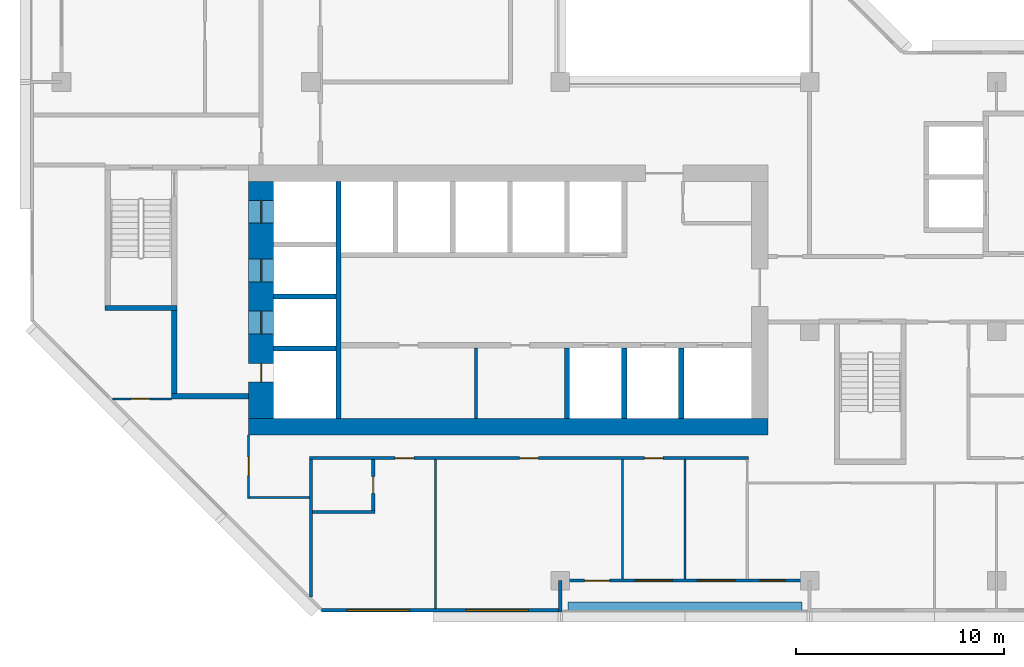
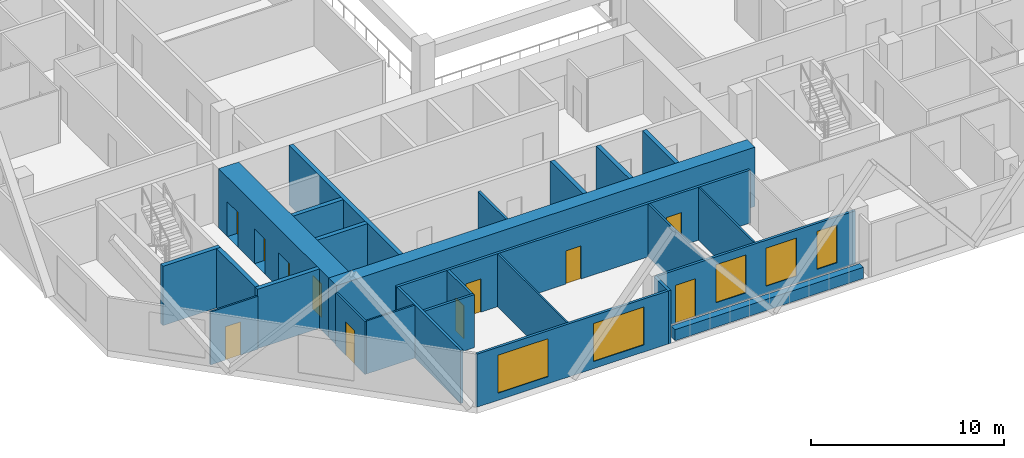
# One storey, part 4 of 15: 26 walls, 11 doors, 5 windows, 16 openings.
"""IFC4 building model written with IfcOpenShell, lengths in metres."""

import ifcopenshell
import ifcopenshell.guid

model = None  # the IFC model being written
_history = None  # IfcOwnerHistory: only IFC2X3 demands one
_inside = {}  # id of a spatial element -> (the spatial element, [elements in it])
_under = {}  # id of a project, library or spatial element -> (it, [spatial elements below it])
_declared = {}  # id of a project -> (the project, [libraries it declares])
_typed = {}  # id of a type object -> (the type object, [elements of that type])
_made_of = {}  # id of a material, layer set ... -> (it, [elements and type objects made of it])


def new_model(schema):
    """Start an empty IFC model of exactly this schema.

    Asked for "IFC4X3", IfcOpenShell would pick the latest addendum, in which some entities
    have other attributes; the version numbers below select the first issue.
    IFC2X3 requires an IfcOwnerHistory on every rooted entity: one is made here for all.
    """
    global model, _history
    if schema == "IFC4X3":
        model = ifcopenshell.file(schema_version=(4, 3, 0, 0))
    else:
        model = ifcopenshell.file(schema=schema)
    _inside.clear()
    _under.clear()
    _declared.clear()
    _typed.clear()
    _made_of.clear()
    _history = None
    if model.schema == "IFC2X3":
        org = make("IfcOrganization", Name="unknown")
        user = make(
            "IfcPersonAndOrganization",
            ThePerson=make("IfcPerson", FamilyName="unknown"),
            TheOrganization=org,
        )
        app = make(
            "IfcApplication",
            ApplicationDeveloper=org,
            Version="unknown",
            ApplicationFullName="unknown",
            ApplicationIdentifier="unknown",
        )
        _history = make(
            "IfcOwnerHistory",
            OwningUser=user,
            OwningApplication=app,
            ChangeAction="ADDED",
            CreationDate=0,
        )
    return model


def make(cls, **values):
    """One entity of the class cls with the attributes given. An attribute that is None is left unset."""
    return model.create_entity(
        cls, **{name: value for name, value in values.items() if value is not None}
    )


def rooted(cls, **values):
    """An entity with a GlobalId (a new one), such as an element, a storey or a relation."""
    return make(cls, GlobalId=ifcopenshell.guid.new(), OwnerHistory=_history, **values)


def si_unit(unit_type, name, prefix=None):
    """IfcSIUnit, for example si_unit("LENGTHUNIT", "METRE", prefix="MILLI")."""
    return make("IfcSIUnit", UnitType=unit_type, Prefix=prefix, Name=name)


def assignment(units):
    """IfcUnitAssignment: the units of a project."""
    return None if units is None else make("IfcUnitAssignment", Units=units)


def point(xyz):
    """IfcCartesianPoint."""
    return None if xyz is None else make("IfcCartesianPoint", Coordinates=xyz)


def direction(xyz):
    """IfcDirection."""
    return None if xyz is None else make("IfcDirection", DirectionRatios=xyz)


def frame(location, z_axis=None, x_axis=None):
    """IfcAxis2Placement3D, a coordinate frame: its origin and axes. An axis left out is left unset."""
    return make(
        "IfcAxis2Placement3D",
        Location=point(location),
        Axis=direction(z_axis),
        RefDirection=direction(x_axis),
    )


def frame_2d(location, x_axis=None):
    """IfcAxis2Placement2D, a coordinate frame in the plane: its origin and x axis."""
    return make(
        "IfcAxis2Placement2D", Location=point(location), RefDirection=direction(x_axis)
    )


def origin():
    """The frame at (0, 0, 0) with its axes left unset."""
    return frame((0.0, 0.0, 0.0))


def place(relative_to, where):
    """IfcLocalPlacement: puts the frame where relative to a parent placement (None: the world)."""
    return make(
        "IfcLocalPlacement", PlacementRelTo=relative_to, RelativePlacement=where
    )


def context(
    kind, dimensions, precision=None, world=None, true_north=None, identifier=None
):
    """IfcGeometricRepresentationContext, for example the 3D "Model" context."""
    return make(
        "IfcGeometricRepresentationContext",
        ContextIdentifier=identifier,
        ContextType=kind,
        CoordinateSpaceDimension=dimensions,
        Precision=precision,
        WorldCoordinateSystem=world,
        TrueNorth=true_north,
    )


def subcontext(parent, identifier, kind, view, scale=None):
    """IfcGeometricRepresentationSubContext, for example "Body" below "Model"."""
    return make(
        "IfcGeometricRepresentationSubContext",
        ContextIdentifier=identifier,
        ContextType=kind,
        ParentContext=parent,
        TargetScale=scale,
        TargetView=view,
    )


def project(units=None, contexts=None):
    """IfcProject with its units and contexts."""
    return rooted(
        "IfcProject",
        Name="project",
        RepresentationContexts=contexts,
        UnitsInContext=assignment(units),
    )


def spatial(cls, under=None, at=None, **own):
    """A site, building, storey or space (cls), placed at a placement, below another one or the project."""
    s = rooted(cls, ObjectPlacement=at, **own)
    if under is not None:
        _under.setdefault(under.id(), (under, []))[1].append(s)
    return s


def profile(cls, at=None, kind="AREA", **sizes):
    """A parametric profile (cls). Its sizes go by their IFC names, for example OverallWidth=200.0."""
    return make(cls, ProfileType=kind, Position=at, **sizes)


def rectangle(**sizes):
    """IfcRectangleProfileDef."""
    return profile("IfcRectangleProfileDef", **sizes)


def extrude(swept, where, along, depth):
    """IfcExtrudedAreaSolid: the profile swept, set in the frame where, extruded along a direction by depth."""
    return make(
        "IfcExtrudedAreaSolid",
        SweptArea=swept,
        Position=where,
        ExtrudedDirection=direction(along),
        Depth=depth,
    )


def shape(context_of_items, identifier, shape_type, items):
    """IfcShapeRepresentation: the items that make up one representation, for example the "Body"."""
    return make(
        "IfcShapeRepresentation",
        ContextOfItems=context_of_items,
        RepresentationIdentifier=identifier,
        RepresentationType=shape_type,
        Items=items,
    )


def material(Name=None, Category=None):
    """IfcMaterial."""
    return make("IfcMaterial", Name=Name, Category=Category)


def layer(
    of_material, thickness, ventilated=None, Name=None, Category=None, Priority=None
):
    """IfcMaterialLayer: one layer of a wall or slab, of a material (None: an air gap)."""
    return make(
        "IfcMaterialLayer",
        Material=of_material,
        LayerThickness=thickness,
        IsVentilated=ventilated,
        Name=Name,
        Category=Category,
        Priority=Priority,
    )


def layer_set(layers, Name=None):
    """IfcMaterialLayerSet."""
    return make("IfcMaterialLayerSet", MaterialLayers=layers, LayerSetName=Name)


def made_of(thing, what):
    """Note that an element or type object is made of a material, layer set ...; save() writes the relation."""
    if what is not None:
        _made_of.setdefault(what.id(), (what, []))[1].append(thing)
    return thing


def type_object(cls, material=None, **own):
    """A type object (cls), such as IfcWallType, which elements share."""
    return made_of(rooted(cls, **own), material)


def element(
    cls,
    number,
    at=None,
    inside=None,
    cuts=None,
    type_object=None,
    material=None,
    context=None,
    identifier="Body",
    shape_type=None,
    held_by="IfcProductDefinitionShape",
    body=None,
    shapes=None,
    **own,
):
    """One element of the class cls, such as IfcWall. Its Tag is "e" and its number.

    at: its placement. inside: the storey or other place that contains it. cuts: it is an
    opening in that element (IfcRelVoidsElement). A single representation is given by context,
    identifier, shape_type and body (its items); several are given by shapes. held_by: the class
    of the entity that holds the representations. save() writes the other relations.
    """
    e = rooted(cls, Tag="e%d" % number, ObjectPlacement=at, **own)
    if body is not None:
        shapes = [shape(context, identifier, shape_type, body)]
    if shapes is not None:
        e.Representation = make(held_by, Representations=shapes)
    if inside is not None:
        _inside.setdefault(inside.id(), (inside, []))[1].append(e)
    if cuts is not None:
        rooted(
            "IfcRelVoidsElement", RelatingBuildingElement=cuts, RelatedOpeningElement=e
        )
    if type_object is not None:
        _typed.setdefault(type_object.id(), (type_object, []))[1].append(e)
    return made_of(e, material)


def fill(opening, filler):
    """IfcRelFillsElement: the door or window that sits in an opening."""
    return rooted(
        "IfcRelFillsElement",
        RelatingOpeningElement=opening,
        RelatedBuildingElement=filler,
    )


def aggregate(whole, parts):
    """IfcRelAggregates: a whole, such as a stair, and the parts it consists of."""
    return rooted("IfcRelAggregates", RelatingObject=whole, RelatedObjects=parts)


def save(model, path):
    """Write the relations noted so far, then the file.

    IfcRelAggregates (storeys below a building ...), IfcRelContainedInSpatialStructure (elements
    in a storey), IfcRelDefinesByType, IfcRelAssociatesMaterial and IfcRelDeclares: one each for
    every whole, place, type object, material and project.
    """
    for whole, parts in _under.values():
        aggregate(whole, parts)
    for where, things in _inside.values():
        rooted(
            "IfcRelContainedInSpatialStructure",
            RelatedElements=things,
            RelatingStructure=where,
        )
    for kind, things in _typed.values():
        rooted("IfcRelDefinesByType", RelatedObjects=things, RelatingType=kind)
    for what, things in _made_of.values():
        rooted("IfcRelAssociatesMaterial", RelatedObjects=things, RelatingMaterial=what)
    for by, libraries in _declared.values():
        rooted("IfcRelDeclares", RelatingContext=by, RelatedDefinitions=libraries)
    model.write(path)


model = new_model("IFC4")

# Units and contexts
model_context = context("Model", 3, precision=1e-05, world=origin(), true_north=direction((0.0, 1.0)))
body_context = subcontext(model_context, "Body", "Model", "MODEL_VIEW")
ifc_project = project(units=[si_unit("LENGTHUNIT", "METRE"), si_unit("AREAUNIT", "SQUARE_METRE"), si_unit("VOLUMEUNIT", "CUBIC_METRE"), si_unit("PLANEANGLEUNIT", "RADIAN"), si_unit("MASSUNIT", "GRAM", prefix="KILO")], contexts=[model_context])

# Site, building, storey
site_placement = place(None, origin())
site = spatial("IfcSite", under=ifc_project, at=site_placement, CompositionType="ELEMENT")
building_placement = place(site_placement, origin())
building = spatial("IfcBuilding", under=site, at=building_placement, Name="Chenar Terraces", CompositionType="ELEMENT")
storey_placement = place(building_placement, frame((0.0, 0.0, 187.39990234375)))
storey = spatial("IfcBuildingStorey", under=building, at=storey_placement, Name="L43", CompositionType="ELEMENT", Elevation=187.39990234375)

# Wall
ifc_material_1 = material(Name="Gypsum board on steel studs", Category="steel")
ifc_layer_1 = layer(ifc_material_1, 0.14990234375)
ifc_layer_set_1 = layer_set([ifc_layer_1], Name="Gypsum board on steel studs")
wall_type_1 = type_object("IfcWallType", Name="Core partition 150 gypsum board", PredefinedType="PARTITIONING", material=ifc_layer_set_1)
wall_1_placement = place(storey_placement, frame((19.949951171875, 7.800048828125, 0.0), z_axis=(0.0, 0.0, 1.0), x_axis=(0.0, 1.0, 0.0)))
element("IfcWall", 1, at=wall_1_placement, inside=storey, type_object=wall_type_1, Name="Core partition CP1 freed bay wall", PredefinedType="PARTITIONING", context=body_context, shape_type="SweptSolid", body=[
    extrude(rectangle(XDim=3.39990234375, YDim=0.14990234375, at=frame_2d((1.699951171875, 0.0))), origin(), (0.0, 0.0, 1.0), 3.35009765625),
])

# Wall, openings, doors
ifc_material_2 = material(Name="Concrete C60/75", Category="concrete")
ifc_layer_2 = layer(ifc_material_2, 1.199951171875)
ifc_layer_set_2 = layer_set([ifc_layer_2], Name="Concrete C60/75")
wall_type_2 = type_object("IfcWallType", Name="Core wall 1200 Concrete C60/75", PredefinedType="SHEAR", material=ifc_layer_set_2)
wall_2_placement = place(storey_placement, frame((9.60009765625, 7.800048828125, 0.0), z_axis=(0.0, 0.0, 1.0), x_axis=(0.0, 1.0, 0.0)))
wall_2 = element("IfcWall", 2, at=wall_2_placement, inside=storey, type_object=wall_type_2, Name="Core wall W L43", PredefinedType="SHEAR", context=body_context, shape_type="SweptSolid", body=[
    extrude(rectangle(XDim=11.39990234375, YDim=1.199951171875, at=frame_2d((5.699951171875, 0.0))), origin(), (0.0, 0.0, 1.0), 3.75),
])
opening_1_placement = place(wall_2_placement, frame((4.074951171875, 0.0, 0.0)))
opening_1 = element("IfcOpeningElement", 3, at=opening_1_placement, cuts=wall_2, Name="Opening DL43-LD5", PredefinedType="OPENING", context=body_context, shape_type="SweptSolid", body=[
    extrude(rectangle(XDim=1.10009765625, YDim=2.199951171875, at=frame_2d((0.550048828125, 1.10009765625))), frame((0.0, 0.60986328125, 0.0), z_axis=(0.0, -1.0, 0.0), x_axis=(1.0, 0.0, 0.0)), (0.0, 0.0, 1.0), 1.219970703125),
])
opening_2_placement = place(wall_2_placement, frame((6.574951171875, 0.0, 0.0)))
opening_2 = element("IfcOpeningElement", 4, at=opening_2_placement, cuts=wall_2, Name="Opening DL43-LD6", PredefinedType="OPENING", context=body_context, shape_type="SweptSolid", body=[
    extrude(rectangle(XDim=1.10009765625, YDim=2.199951171875, at=frame_2d((0.550048828125, 1.10009765625))), frame((0.0, 0.60986328125, 0.0), z_axis=(0.0, -1.0, 0.0), x_axis=(1.0, 0.0, 0.0)), (0.0, 0.0, 1.0), 1.219970703125),
])
opening_3_placement = place(wall_2_placement, frame((9.39990234375, 0.0, 0.0)))
opening_3 = element("IfcOpeningElement", 5, at=opening_3_placement, cuts=wall_2, Name="Opening DL43-LD7", PredefinedType="OPENING", context=body_context, shape_type="SweptSolid", body=[
    extrude(rectangle(XDim=1.10009765625, YDim=2.199951171875, at=frame_2d((0.550048828125, 1.10009765625))), frame((0.0, 0.60986328125, 0.0), z_axis=(0.0, -1.0, 0.0), x_axis=(1.0, 0.0, 0.0)), (0.0, 0.0, 1.0), 1.219970703125),
])
opening_4_placement = place(wall_2_placement, frame((1.75, 0.0, 0.0)))
opening_4 = element("IfcOpeningElement", 6, at=opening_4_placement, cuts=wall_2, Name="Opening DL43-C4", PredefinedType="OPENING", context=body_context, shape_type="SweptSolid", body=[
    extrude(rectangle(XDim=0.89990234375, YDim=2.10009765625, at=frame_2d((0.449951171875, 1.050048828125))), frame((0.0, 0.60986328125, 0.0), z_axis=(0.0, -1.0, 0.0), x_axis=(1.0, 0.0, 0.0)), (0.0, 0.0, 1.0), 1.219970703125),
])
ifc_material_3 = material(Name="Stainless steel", Category="steel")
door_type_1 = type_object("IfcDoorType", Name="Lift landing door 1100 x 2200 sliding", OperationType="DOUBLE_DOOR_SLIDING", PredefinedType="DOOR", material=ifc_material_3)
door_1_placement = place(opening_1_placement, origin())
door_1 = element("IfcDoor", 7, at=door_1_placement, inside=storey, type_object=door_type_1, Name="Landing door S1", OperationType="DOUBLE_DOOR_SLIDING", OverallHeight=2.199951171875, OverallWidth=1.10009765625, PredefinedType="DOOR", context=body_context, shape_type="SweptSolid", body=[
    extrude(rectangle(XDim=1.10009765625, YDim=2.199951171875, at=frame_2d((0.550048828125, 1.10009765625))), frame((0.0, 0.02490234375, 0.0), z_axis=(0.0, -1.0, 0.0), x_axis=(1.0, 0.0, 0.0)), (0.0, 0.0, 1.0), 0.050048828125),
])
fill(opening_1, door_1)
door_2_placement = place(opening_2_placement, origin())
door_2 = element("IfcDoor", 8, at=door_2_placement, inside=storey, type_object=door_type_1, Name="Landing door F1", OperationType="DOUBLE_DOOR_SLIDING", OverallHeight=2.199951171875, OverallWidth=1.10009765625, PredefinedType="DOOR", context=body_context, shape_type="SweptSolid", body=[
    extrude(rectangle(XDim=1.10009765625, YDim=2.199951171875, at=frame_2d((0.550048828125, 1.10009765625))), frame((0.0, 0.02490234375, 0.0), z_axis=(0.0, -1.0, 0.0), x_axis=(1.0, 0.0, 0.0)), (0.0, 0.0, 1.0), 0.050048828125),
])
fill(opening_2, door_2)
door_3_placement = place(opening_3_placement, origin())
door_3 = element("IfcDoor", 9, at=door_3_placement, inside=storey, type_object=door_type_1, Name="Landing door F2", OperationType="DOUBLE_DOOR_SLIDING", OverallHeight=2.199951171875, OverallWidth=1.10009765625, PredefinedType="DOOR", context=body_context, shape_type="SweptSolid", body=[
    extrude(rectangle(XDim=1.10009765625, YDim=2.199951171875, at=frame_2d((0.550048828125, 1.10009765625))), frame((0.0, 0.02490234375, 0.0), z_axis=(0.0, -1.0, 0.0), x_axis=(1.0, 0.0, 0.0)), (0.0, 0.0, 1.0), 0.050048828125),
])
fill(opening_3, door_3)
ifc_material_4 = material(Name="Steel-framed fire-resisting door leaf", Category="steel")
door_type_2 = type_object("IfcDoorType", Name="Riser fire door FD60 900 x 2100", OperationType="SINGLE_SWING_LEFT", PredefinedType="DOOR", material=ifc_material_4)
door_4_placement = place(opening_4_placement, frame((0.89990234375, 0.0, 0.0), z_axis=(0.0, 0.0, 1.0), x_axis=(-1.0, 0.0, 0.0)))
door_4 = element("IfcDoor", 10, at=door_4_placement, inside=storey, type_object=door_type_2, Name="Riser door DL43-C4", OperationType="SINGLE_SWING_LEFT", OverallHeight=2.10009765625, OverallWidth=0.89990234375, PredefinedType="DOOR", context=body_context, shape_type="SweptSolid", body=[
    extrude(rectangle(XDim=0.89990234375, YDim=2.10009765625, at=frame_2d((0.449951171875, 1.050048828125))), frame((0.0, 0.02490234375, 0.0), z_axis=(0.0, -1.0, 0.0), x_axis=(1.0, 0.0, 0.0)), (0.0, 0.0, 1.0), 0.050048828125),
])
fill(opening_4, door_4)

# Walls
ifc_material_5 = material(Name="Concrete C60/75", Category="concrete")
ifc_layer_3 = layer(ifc_material_5, 0.25)
ifc_layer_set_3 = layer_set([ifc_layer_3], Name="Concrete C60/75")
wall_type_3 = type_object("IfcWallType", Name="Core wall 250 Concrete C60/75", PredefinedType="SHEAR", material=ifc_layer_set_3)
wall_3_placement = place(storey_placement, frame((13.324951171875, 7.800048828125, 0.0), z_axis=(0.0, 0.0, 1.0), x_axis=(0.0, 1.0, 0.0)))
element("IfcWall", 11, at=wall_3_placement, inside=storey, type_object=wall_type_3, Name="Core wall WI L43", PredefinedType="SHEAR", context=body_context, shape_type="SweptSolid", body=[
    extrude(rectangle(XDim=11.39990234375, YDim=0.25, at=frame_2d((5.699951171875, 0.0))), origin(), (0.0, 0.0, 1.0), 3.75),
])
for number, where, z_axis, x_axis, name in (
    (12, (10.199951171875, 11.175048828125, 0.0), (0.0, 0.0, 1.0), (1.0, 0.0, 0.0), "Core wall HW0 L43"),
    (13, (10.199951171875, 13.675048828125, 0.0), (0.0, 0.0, 1.0), (1.0, 0.0, 0.0), "Core wall HW1 L43"),
):
    element("IfcWall", number, at=place(storey_placement, frame(where, z_axis=z_axis, x_axis=x_axis)), inside=storey, type_object=wall_type_3, Name=name, PredefinedType="SHEAR", context=body_context, shape_type="SweptSolid", body=[
        extrude(rectangle(XDim=3.0, YDim=0.25, at=frame_2d((1.5, 0.0))), origin(), (0.0, 0.0, 1.0), 3.75),
    ])
for number, where, z_axis, x_axis, name in (
    (14, (24.324951171875, 7.800048828125, 0.0), (0.0, 0.0, 1.0), (0.0, 1.0, 0.0), "Core wall SS3 L43"),
    (15, (27.074951171875, 7.800048828125, 0.0), (0.0, 0.0, 1.0), (0.0, 1.0, 0.0), "Core wall SS4 L43"),
    (16, (29.824951171875, 7.800048828125, 0.0), (0.0, 0.0, 1.0), (0.0, 1.0, 0.0), "Core wall SS5 L43"),
):
    element("IfcWall", number, at=place(storey_placement, frame(where, z_axis=z_axis, x_axis=x_axis)), inside=storey, type_object=wall_type_3, Name=name, PredefinedType="SHEAR", context=body_context, shape_type="SweptSolid", body=[
        extrude(rectangle(XDim=3.39990234375, YDim=0.25, at=frame_2d((1.699951171875, 0.0))), origin(), (0.0, 0.0, 1.0), 3.75),
    ])
wall_4_placement = place(storey_placement, frame((2.10009765625, 13.125, 0.0), z_axis=(0.0, 0.0, 1.0), x_axis=(1.0, 0.0, 0.0)))
element("IfcWall", 17, at=wall_4_placement, inside=storey, type_object=wall_type_3, Name="Core wall ST1_S L43", PredefinedType="SHEAR", context=body_context, shape_type="SweptSolid", body=[
    extrude(rectangle(XDim=3.449951171875, YDim=0.25, at=frame_2d((1.72509765625, 0.0))), origin(), (0.0, 0.0, 1.0), 3.75),
])
wall_5_placement = place(storey_placement, frame((5.300048828125, 8.875, 0.0), z_axis=(0.0, 0.0, 1.0), x_axis=(1.0, 0.0, 0.0)))
element("IfcWall", 18, at=wall_5_placement, inside=storey, type_object=wall_type_3, Name="Core wall FFL_S L43", PredefinedType="SHEAR", context=body_context, shape_type="SweptSolid", body=[
    extrude(rectangle(XDim=3.699951171875, YDim=0.25, at=frame_2d((1.85009765625, 0.0))), origin(), (0.0, 0.0, 1.0), 3.75),
])
wall_6_placement = place(storey_placement, frame((5.425048828125, 9.0, 0.0), z_axis=(0.0, 0.0, 1.0), x_axis=(0.0, 1.0, 0.0)))
element("IfcWall", 19, at=wall_6_placement, inside=storey, type_object=wall_type_3, Name="Core wall FFL_W L43", PredefinedType="SHEAR", context=body_context, shape_type="SweptSolid", body=[
    extrude(rectangle(XDim=4.0, YDim=0.25, at=frame_2d((2.0, 0.0))), origin(), (0.0, 0.0, 1.0), 3.75),
])
ifc_material_6 = material(Name="Concrete C60/75", Category="concrete")
ifc_layer_4 = layer(ifc_material_6, 0.800048828125)
ifc_layer_set_4 = layer_set([ifc_layer_4], Name="Concrete C60/75")
wall_type_4 = type_object("IfcWallType", Name="Core wall 800 Concrete C60/75", PredefinedType="SHEAR", material=ifc_layer_set_4)
wall_7_placement = place(storey_placement, frame((9.0, 7.39990234375, 0.0), z_axis=(0.0, 0.0, 1.0), x_axis=(1.0, 0.0, 0.0)))
element("IfcWall", 20, at=wall_7_placement, inside=storey, type_object=wall_type_4, Name="Core wall S L43", PredefinedType="SHEAR", context=body_context, shape_type="SweptSolid", body=[
    extrude(rectangle(XDim=25.0, YDim=0.800048828125, at=frame_2d((12.5, 0.0))), origin(), (0.0, 0.0, 1.0), 3.75),
])

# Wall, openings, windows
ifc_material_7 = material(Name="Aluminium framed glazing", Category="aluminium")
ifc_layer_5 = layer(ifc_material_7, 0.14990234375)
ifc_layer_set_5 = layer_set([ifc_layer_5], Name="Aluminium framed glazing")
wall_type_5 = type_object("IfcWallType", Name="Glazed flush facade wall 150", PredefinedType="SOLIDWALL", material=ifc_layer_set_5)
wall_8_placement = place(storey_placement, frame((12.5, -1.425048828125, 0.0), z_axis=(0.0, 0.0, 1.0), x_axis=(1.0, 0.0, 0.0)))
wall_8 = element("IfcWall", 21, at=wall_8_placement, inside=storey, type_object=wall_type_5, Name="Glazed flush facade wall", PredefinedType="SOLIDWALL", context=body_context, shape_type="SweptSolid", body=[
    extrude(rectangle(XDim=11.425048828125, YDim=0.14990234375, at=frame_2d((5.71240234375, 0.0))), origin(), (0.0, 0.0, 1.0), 3.35009765625),
])
opening_5_placement = place(wall_8_placement, frame((1.25, 0.0, 0.449951171875)))
opening_5 = element("IfcOpeningElement", 22, at=opening_5_placement, cuts=wall_8, Name="Opening W300x240", PredefinedType="OPENING", context=body_context, shape_type="SweptSolid", body=[
    extrude(rectangle(XDim=3.0, YDim=2.39990234375, at=frame_2d((1.5, 1.199951171875))), frame((0.0, 0.0849609375, 0.0), z_axis=(0.0, -1.0, 0.0), x_axis=(1.0, 0.0, 0.0)), (0.0, 0.0, 1.0), 0.169921875),
])
opening_6_placement = place(wall_8_placement, frame((6.96240234375, 0.0, 0.449951171875)))
opening_6 = element("IfcOpeningElement", 23, at=opening_6_placement, cuts=wall_8, Name="Opening W300x240", PredefinedType="OPENING", context=body_context, shape_type="SweptSolid", body=[
    extrude(rectangle(XDim=3.0, YDim=2.39990234375, at=frame_2d((1.5, 1.199951171875))), frame((0.0, 0.0849609375, 0.0), z_axis=(0.0, -1.0, 0.0), x_axis=(1.0, 0.0, 0.0)), (0.0, 0.0, 1.0), 0.169921875),
])
ifc_material_8 = material(Name="Low emissivity double glazing, aluminium frame", Category="aluminium")
window_type_1 = type_object("IfcWindowType", Name="Fixed light 3000 x 2400", PartitioningType="SINGLE_PANEL", PredefinedType="WINDOW", material=ifc_material_8)
window_1_placement = place(opening_5_placement, origin())
window_1 = element("IfcWindow", 24, at=window_1_placement, inside=storey, type_object=window_type_1, Name="Window", OverallHeight=2.39990234375, OverallWidth=3.0, PartitioningType="SINGLE_PANEL", PredefinedType="WINDOW", context=body_context, shape_type="SweptSolid", body=[
    extrude(rectangle(XDim=3.0, YDim=2.39990234375, at=frame_2d((1.5, 1.199951171875))), frame((0.0, 0.030029296875, 0.0), z_axis=(0.0, -1.0, 0.0), x_axis=(1.0, 0.0, 0.0)), (0.0, 0.0, 1.0), 0.06005859375),
])
fill(opening_5, window_1)
window_2_placement = place(opening_6_placement, origin())
window_2 = element("IfcWindow", 25, at=window_2_placement, inside=storey, type_object=window_type_1, Name="Window", OverallHeight=2.39990234375, OverallWidth=3.0, PartitioningType="SINGLE_PANEL", PredefinedType="WINDOW", context=body_context, shape_type="SweptSolid", body=[
    extrude(rectangle(XDim=3.0, YDim=2.39990234375, at=frame_2d((1.5, 1.199951171875))), frame((0.0, 0.030029296875, 0.0), z_axis=(0.0, -1.0, 0.0), x_axis=(1.0, 0.0, 0.0)), (0.0, 0.0, 1.0), 0.06005859375),
])
fill(opening_6, window_2)

# Wall, openings, windows, door
ifc_material_9 = material(Name="Aluminium framed glazing", Category="aluminium")
ifc_layer_6 = layer(ifc_material_9, 0.14990234375)
ifc_layer_set_6 = layer_set([ifc_layer_6], Name="Aluminium framed glazing")
wall_type_6 = type_object("IfcWallType", Name="Glazed loggia back wall 150", PredefinedType="SOLIDWALL", material=ifc_layer_set_6)
wall_9_placement = place(storey_placement, frame((24.074951171875, 0.0, 0.0), z_axis=(0.0, 0.0, 1.0), x_axis=(1.0, 0.0, 0.0)))
wall_9 = element("IfcWall", 26, at=wall_9_placement, inside=storey, type_object=wall_type_6, Name="Glazed loggia back wall", PredefinedType="SOLIDWALL", context=body_context, shape_type="SweptSolid", body=[
    extrude(rectangle(XDim=11.85009765625, YDim=0.14990234375, at=frame_2d((5.925048828125, 0.0))), origin(), (0.0, 0.0, 1.0), 3.35009765625),
])
opening_7_placement = place(wall_9_placement, frame((1.10009765625, 0.0, 0.0)))
opening_7 = element("IfcOpeningElement", 27, at=opening_7_placement, cuts=wall_9, Name="Opening DL43-G6", PredefinedType="OPENING", context=body_context, shape_type="SweptSolid", body=[
    extrude(rectangle(XDim=1.199951171875, YDim=2.39990234375, at=frame_2d((0.60009765625, 1.199951171875))), frame((0.0, 0.0849609375, 0.0), z_axis=(0.0, -1.0, 0.0), x_axis=(1.0, 0.0, 0.0)), (0.0, 0.0, 1.0), 0.169921875),
])
opening_8_placement = place(wall_9_placement, frame((3.52490234375, 0.0, 0.449951171875)))
opening_8 = element("IfcOpeningElement", 28, at=opening_8_placement, cuts=wall_9, Name="Opening W180x240", PredefinedType="OPENING", context=body_context, shape_type="SweptSolid", body=[
    extrude(rectangle(XDim=1.800048828125, YDim=2.39990234375, at=frame_2d((0.89990234375, 1.199951171875))), frame((0.0, 0.0849609375, 0.0), z_axis=(0.0, -1.0, 0.0), x_axis=(1.0, 0.0, 0.0)), (0.0, 0.0, 1.0), 0.169921875),
])
opening_9_placement = place(wall_9_placement, frame((6.52490234375, 0.0, 0.449951171875)))
opening_9 = element("IfcOpeningElement", 29, at=opening_9_placement, cuts=wall_9, Name="Opening W180x240", PredefinedType="OPENING", context=body_context, shape_type="SweptSolid", body=[
    extrude(rectangle(XDim=1.800048828125, YDim=2.39990234375, at=frame_2d((0.89990234375, 1.199951171875))), frame((0.0, 0.0849609375, 0.0), z_axis=(0.0, -1.0, 0.0), x_axis=(1.0, 0.0, 0.0)), (0.0, 0.0, 1.0), 0.169921875),
])
opening_10_placement = place(wall_9_placement, frame((9.550048828125, 0.0, 0.449951171875)))
opening_10 = element("IfcOpeningElement", 30, at=opening_10_placement, cuts=wall_9, Name="Opening W120x240", PredefinedType="OPENING", context=body_context, shape_type="SweptSolid", body=[
    extrude(rectangle(XDim=1.199951171875, YDim=2.39990234375, at=frame_2d((0.60009765625, 1.199951171875))), frame((0.0, 0.0849609375, 0.0), z_axis=(0.0, -1.0, 0.0), x_axis=(1.0, 0.0, 0.0)), (0.0, 0.0, 1.0), 0.169921875),
])
ifc_material_10 = material(Name="Low emissivity double glazing, aluminium frame", Category="aluminium")
window_type_2 = type_object("IfcWindowType", Name="Fixed light 1200 x 2400", PartitioningType="SINGLE_PANEL", PredefinedType="WINDOW", material=ifc_material_10)
window_3_placement = place(opening_10_placement, origin())
window_3 = element("IfcWindow", 31, at=window_3_placement, inside=storey, type_object=window_type_2, Name="Window", OverallHeight=2.39990234375, OverallWidth=1.199951171875, PartitioningType="SINGLE_PANEL", PredefinedType="WINDOW", context=body_context, shape_type="SweptSolid", body=[
    extrude(rectangle(XDim=1.199951171875, YDim=2.39990234375, at=frame_2d((0.60009765625, 1.199951171875))), frame((0.0, 0.030029296875, 0.0), z_axis=(0.0, -1.0, 0.0), x_axis=(1.0, 0.0, 0.0)), (0.0, 0.0, 1.0), 0.06005859375),
])
fill(opening_10, window_3)
ifc_material_11 = material(Name="Low emissivity double glazing, aluminium frame", Category="aluminium")
window_type_3 = type_object("IfcWindowType", Name="Fixed light 1800 x 2400", PartitioningType="SINGLE_PANEL", PredefinedType="WINDOW", material=ifc_material_11)
window_4_placement = place(opening_8_placement, origin())
window_4 = element("IfcWindow", 32, at=window_4_placement, inside=storey, type_object=window_type_3, Name="Window", OverallHeight=2.39990234375, OverallWidth=1.800048828125, PartitioningType="SINGLE_PANEL", PredefinedType="WINDOW", context=body_context, shape_type="SweptSolid", body=[
    extrude(rectangle(XDim=1.800048828125, YDim=2.39990234375, at=frame_2d((0.89990234375, 1.199951171875))), frame((0.0, 0.030029296875, 0.0), z_axis=(0.0, -1.0, 0.0), x_axis=(1.0, 0.0, 0.0)), (0.0, 0.0, 1.0), 0.06005859375),
])
fill(opening_8, window_4)
window_5_placement = place(opening_9_placement, origin())
window_5 = element("IfcWindow", 33, at=window_5_placement, inside=storey, type_object=window_type_3, Name="Window", OverallHeight=2.39990234375, OverallWidth=1.800048828125, PartitioningType="SINGLE_PANEL", PredefinedType="WINDOW", context=body_context, shape_type="SweptSolid", body=[
    extrude(rectangle(XDim=1.800048828125, YDim=2.39990234375, at=frame_2d((0.89990234375, 1.199951171875))), frame((0.0, 0.030029296875, 0.0), z_axis=(0.0, -1.0, 0.0), x_axis=(1.0, 0.0, 0.0)), (0.0, 0.0, 1.0), 0.06005859375),
])
fill(opening_9, window_5)
ifc_material_12 = material(Name="Low emissivity double glazing, aluminium frame", Category="aluminium")
door_type_3 = type_object("IfcDoorType", Name="Loggia glazed double door 1200 x 2400", OperationType="DOUBLE_DOOR_SINGLE_SWING", PredefinedType="DOOR", material=ifc_material_12)
door_5_placement = place(opening_7_placement, frame((1.199951171875, 0.0, 0.0), z_axis=(0.0, 0.0, 1.0), x_axis=(-1.0, 0.0, 0.0)))
door_5 = element("IfcDoor", 34, at=door_5_placement, inside=storey, type_object=door_type_3, Name="Loggia glazed door", OperationType="DOUBLE_DOOR_SINGLE_SWING", OverallHeight=2.39990234375, OverallWidth=1.199951171875, PredefinedType="DOOR", context=body_context, shape_type="SweptSolid", body=[
    extrude(rectangle(XDim=1.199951171875, YDim=2.39990234375, at=frame_2d((0.60009765625, 1.199951171875))), frame((0.0, 0.02490234375, 0.0), z_axis=(0.0, -1.0, 0.0), x_axis=(1.0, 0.0, 0.0)), (0.0, 0.0, 1.0), 0.050048828125),
])
fill(opening_7, door_5)

# Wall, opening, door
ifc_material_13 = material(Name="Gypsum board on steel studs", Category="steel")
ifc_layer_7 = layer(ifc_material_13, 0.10009765625)
ifc_layer_set_7 = layer_set([ifc_layer_7], Name="Gypsum board on steel studs")
wall_type_7 = type_object("IfcWallType", Name="Gypsum partition 100", PredefinedType="PARTITIONING", material=ifc_layer_set_7)
wall_10_placement = place(storey_placement, frame((2.4609375, 8.75, 0.0), z_axis=(0.0, 0.0, 1.0), x_axis=(1.0, 0.0, 0.0)))
wall_10 = element("IfcWall", 35, at=wall_10_placement, inside=storey, type_object=wall_type_7, Name="Partition L43-012", PredefinedType="PARTITIONING", context=body_context, shape_type="SweptSolid", body=[
    extrude(rectangle(XDim=2.839111328125, YDim=0.10009765625, at=frame_2d((1.41943359375, 0.0))), origin(), (0.0, 0.0, 1.0), 3.35009765625),
])
opening_11_placement = place(wall_10_placement, frame((0.888916015625, 0.0, 0.0)))
opening_11 = element("IfcOpeningElement", 36, at=opening_11_placement, cuts=wall_10, Name="Opening DL43-50", PredefinedType="OPENING", context=body_context, shape_type="SweptSolid", body=[
    extrude(rectangle(XDim=0.89990234375, YDim=2.10009765625, at=frame_2d((0.449951171875, 1.050048828125))), frame((0.0, 0.06005859375, 0.0), z_axis=(0.0, -1.0, 0.0), x_axis=(1.0, 0.0, 0.0)), (0.0, 0.0, 1.0), 0.1201171875),
])
ifc_material_14 = material(Name="Veneered timber door leaf", Category="wood")
door_type_4 = type_object("IfcDoorType", Name="Door 900 x 2100", OperationType="SINGLE_SWING_LEFT", PredefinedType="DOOR", material=ifc_material_14)
door_6_placement = place(opening_11_placement, frame((0.89990234375, 0.0, 0.0), z_axis=(0.0, 0.0, 1.0), x_axis=(-1.0, 0.0, 0.0)))
door_6 = element("IfcDoor", 37, at=door_6_placement, inside=storey, type_object=door_type_4, Name="Door DL43-50", OperationType="SINGLE_SWING_RIGHT", OverallHeight=2.10009765625, OverallWidth=0.89990234375, PredefinedType="DOOR", context=body_context, shape_type="SweptSolid", body=[
    extrude(rectangle(XDim=0.89990234375, YDim=2.10009765625, at=frame_2d((0.449951171875, 1.050048828125))), frame((0.0, 0.02490234375, 0.0), z_axis=(0.0, -1.0, 0.0), x_axis=(1.0, 0.0, 0.0)), (0.0, 0.0, 1.0), 0.050048828125),
])
fill(opening_11, door_6)

wall_11_placement = place(storey_placement, frame((9.0, 3.949951171875, 0.0), z_axis=(0.0, 0.0, 1.0), x_axis=(0.0, 1.0, 0.0)))
wall_11 = element("IfcWall", 38, at=wall_11_placement, inside=storey, type_object=wall_type_7, Name="Partition L43-027", PredefinedType="PARTITIONING", context=body_context, shape_type="SweptSolid", body=[
    extrude(rectangle(XDim=3.050048828125, YDim=0.10009765625, at=frame_2d((1.52490234375, 0.0))), origin(), (0.0, 0.0, 1.0), 3.35009765625),
])
opening_12_placement = place(wall_11_placement, frame((1.10009765625, 0.0, 0.0)))
opening_12 = element("IfcOpeningElement", 39, at=opening_12_placement, cuts=wall_11, Name="Opening DL43-49", PredefinedType="OPENING", context=body_context, shape_type="SweptSolid", body=[
    extrude(rectangle(XDim=0.89990234375, YDim=2.10009765625, at=frame_2d((0.449951171875, 1.050048828125))), frame((0.0, 0.06005859375, 0.0), z_axis=(0.0, -1.0, 0.0), x_axis=(1.0, 0.0, 0.0)), (0.0, 0.0, 1.0), 0.1201171875),
])
door_7_placement = place(opening_12_placement, origin())
door_7 = element("IfcDoor", 40, at=door_7_placement, inside=storey, type_object=door_type_4, Name="Door DL43-49", OperationType="SINGLE_SWING_LEFT", OverallHeight=2.10009765625, OverallWidth=0.89990234375, PredefinedType="DOOR", context=body_context, shape_type="SweptSolid", body=[
    extrude(rectangle(XDim=0.89990234375, YDim=2.10009765625, at=frame_2d((0.449951171875, 1.050048828125))), frame((0.0, 0.02490234375, 0.0), z_axis=(0.0, -1.0, 0.0), x_axis=(1.0, 0.0, 0.0)), (0.0, 0.0, 1.0), 0.050048828125),
])
fill(opening_12, door_7)

# Walls
wall_12_placement = place(storey_placement, frame((9.050048828125, 4.0, 0.0), z_axis=(0.0, 0.0, 1.0), x_axis=(1.0, 0.0, 0.0)))
element("IfcWall", 41, at=wall_12_placement, inside=storey, type_object=wall_type_7, Name="Partition L43-028", PredefinedType="PARTITIONING", context=body_context, shape_type="SweptSolid", body=[
    extrude(rectangle(XDim=2.875, YDim=0.10009765625, at=frame_2d((1.4375, 0.0))), origin(), (0.0, 0.0, 1.0), 3.35009765625),
])
wall_13_placement = place(storey_placement, frame((18.0, -1.35009765625, 0.0), z_axis=(0.0, 0.0, 1.0), x_axis=(0.0, 1.0, 0.0)))
element("IfcWall", 42, at=wall_13_placement, inside=storey, type_object=wall_type_7, Name="Partition L43-050", PredefinedType="PARTITIONING", context=body_context, shape_type="SweptSolid", body=[
    extrude(rectangle(XDim=7.175048828125, YDim=0.10009765625, at=frame_2d((3.58740234375, 0.0))), origin(), (0.0, 0.0, 1.0), 3.35009765625),
])
for number, where, z_axis, x_axis, name in (
    (43, (27.0, 0.073974609375, 0.0), (0.0, 0.0, 1.0), (0.0, 1.0, 0.0), "Partition L43-055"),
    (44, (30.0, 0.073974609375, 0.0), (0.0, 0.0, 1.0), (0.0, 1.0, 0.0), "Partition L43-056"),
):
    element("IfcWall", number, at=place(storey_placement, frame(where, z_axis=z_axis, x_axis=x_axis)), inside=storey, type_object=wall_type_7, Name=name, PredefinedType="PARTITIONING", context=body_context, shape_type="SweptSolid", body=[
        extrude(rectangle(XDim=5.7509765625, YDim=0.10009765625, at=frame_2d((2.87548828125, 0.0))), origin(), (0.0, 0.0, 1.0), 3.35009765625),
    ])
ifc_material_15 = material(Name="Terracotta cladding on insulated backing", Category="masonry")
ifc_layer_8 = layer(ifc_material_15, 0.14990234375)
ifc_layer_set_8 = layer_set([ifc_layer_8], Name="Terracotta cladding on insulated backing")
wall_type_8 = type_object("IfcWallType", Name="Loggia return wall 150", PredefinedType="SOLIDWALL", material=ifc_layer_set_8)
wall_14_placement = place(storey_placement, frame((24.0, -1.5, 0.0), z_axis=(0.0, 0.0, 1.0), x_axis=(0.0, 1.0, 0.0)))
element("IfcWall", 45, at=wall_14_placement, inside=storey, type_object=wall_type_8, Name="Loggia return wall", PredefinedType="SOLIDWALL", context=body_context, shape_type="SweptSolid", body=[
    extrude(rectangle(XDim=1.5, YDim=0.14990234375, at=frame_2d((0.75, 0.0))), origin(), (0.0, 0.0, 1.0), 3.35009765625),
])
ifc_material_16 = material(Name="GRP planter trough")
ifc_layer_9 = layer(ifc_material_16, 0.39990234375)
ifc_layer_set_9 = layer_set([ifc_layer_9], Name="GRP planter trough")
wall_type_9 = type_object("IfcWallType", Name="Vertical greenery planter 400", PredefinedType="SOLIDWALL", material=ifc_layer_set_9)
wall_15_placement = place(storey_placement, frame((24.375, -1.22900390625, 0.0), z_axis=(0.0, 0.0, 1.0), x_axis=(1.0, 0.0, 0.0)))
element("IfcWall", 46, at=wall_15_placement, inside=storey, type_object=wall_type_9, Name="Vertical greenery planter", PredefinedType="SOLIDWALL", context=body_context, shape_type="SweptSolid", body=[
    extrude(rectangle(XDim=11.25, YDim=0.39990234375, at=frame_2d((5.625, 0.0))), origin(), (0.0, 0.0, 1.0), 0.7001953125),
])

# Wall, openings, doors
ifc_material_17 = material(Name="Moisture-resistant gypsum board on steel studs", Category="steel")
ifc_layer_10 = layer(ifc_material_17, 0.14990234375)
ifc_layer_set_10 = layer_set([ifc_layer_10], Name="Moisture-resistant gypsum board on steel studs")
wall_type_10 = type_object("IfcWallType", Name="Wet-room partition 150", PredefinedType="PARTITIONING", material=ifc_layer_set_10)
wall_16_placement = place(storey_placement, frame((11.925048828125, 5.89990234375, 0.0), z_axis=(0.0, 0.0, 1.0), x_axis=(1.0, 0.0, 0.0)))
wall_16 = element("IfcWall", 47, at=wall_16_placement, inside=storey, type_object=wall_type_10, Name="Partition L43-030", PredefinedType="PARTITIONING", context=body_context, shape_type="SweptSolid", body=[
    extrude(rectangle(XDim=21.125, YDim=0.14990234375, at=frame_2d((10.5625, 0.0))), origin(), (0.0, 0.0, 1.0), 3.35009765625),
])
opening_13_placement = place(wall_16_placement, frame((16.125, 0.0, 0.0)))
opening_13 = element("IfcOpeningElement", 48, at=opening_13_placement, cuts=wall_16, Name="Opening DL43-45", PredefinedType="OPENING", context=body_context, shape_type="SweptSolid", body=[
    extrude(rectangle(XDim=0.89990234375, YDim=2.10009765625, at=frame_2d((0.449951171875, 1.050048828125))), frame((0.0, 0.0849609375, 0.0), z_axis=(0.0, -1.0, 0.0), x_axis=(1.0, 0.0, 0.0)), (0.0, 0.0, 1.0), 0.169921875),
])
opening_14_placement = place(wall_16_placement, frame((4.125, 0.0, 0.0)))
opening_14 = element("IfcOpeningElement", 49, at=opening_14_placement, cuts=wall_16, Name="Opening DL43-51", PredefinedType="OPENING", context=body_context, shape_type="SweptSolid", body=[
    extrude(rectangle(XDim=0.89990234375, YDim=2.10009765625, at=frame_2d((0.449951171875, 1.050048828125))), frame((0.0, 0.0849609375, 0.0), z_axis=(0.0, -1.0, 0.0), x_axis=(1.0, 0.0, 0.0)), (0.0, 0.0, 1.0), 0.169921875),
])
opening_15_placement = place(wall_16_placement, frame((10.125, 0.0, 0.0)))
opening_15 = element("IfcOpeningElement", 50, at=opening_15_placement, cuts=wall_16, Name="Opening DL43-55", PredefinedType="OPENING", context=body_context, shape_type="SweptSolid", body=[
    extrude(rectangle(XDim=0.89990234375, YDim=2.10009765625, at=frame_2d((0.449951171875, 1.050048828125))), frame((0.0, 0.0849609375, 0.0), z_axis=(0.0, -1.0, 0.0), x_axis=(1.0, 0.0, 0.0)), (0.0, 0.0, 1.0), 0.169921875),
])
door_8_placement = place(opening_13_placement, frame((0.89990234375, 0.0, 0.0), z_axis=(0.0, 0.0, 1.0), x_axis=(-1.0, 0.0, 0.0)))
door_8 = element("IfcDoor", 51, at=door_8_placement, inside=storey, type_object=door_type_4, Name="Door DL43-45", OperationType="SINGLE_SWING_RIGHT", OverallHeight=2.10009765625, OverallWidth=0.89990234375, PredefinedType="DOOR", context=body_context, shape_type="SweptSolid", body=[
    extrude(rectangle(XDim=0.89990234375, YDim=2.10009765625, at=frame_2d((0.449951171875, 1.050048828125))), frame((0.0, 0.02490234375, 0.0), z_axis=(0.0, -1.0, 0.0), x_axis=(1.0, 0.0, 0.0)), (0.0, 0.0, 1.0), 0.050048828125),
])
fill(opening_13, door_8)
door_9_placement = place(opening_14_placement, frame((0.89990234375, 0.0, 0.0), z_axis=(0.0, 0.0, 1.0), x_axis=(-1.0, 0.0, 0.0)))
door_9 = element("IfcDoor", 52, at=door_9_placement, inside=storey, type_object=door_type_4, Name="Door DL43-51", OperationType="SINGLE_SWING_RIGHT", OverallHeight=2.10009765625, OverallWidth=0.89990234375, PredefinedType="DOOR", context=body_context, shape_type="SweptSolid", body=[
    extrude(rectangle(XDim=0.89990234375, YDim=2.10009765625, at=frame_2d((0.449951171875, 1.050048828125))), frame((0.0, 0.02490234375, 0.0), z_axis=(0.0, -1.0, 0.0), x_axis=(1.0, 0.0, 0.0)), (0.0, 0.0, 1.0), 0.050048828125),
])
fill(opening_14, door_9)
door_10_placement = place(opening_15_placement, frame((0.89990234375, 0.0, 0.0), z_axis=(0.0, 0.0, 1.0), x_axis=(-1.0, 0.0, 0.0)))
door_10 = element("IfcDoor", 53, at=door_10_placement, inside=storey, type_object=door_type_4, Name="Door DL43-55", OperationType="SINGLE_SWING_RIGHT", OverallHeight=2.10009765625, OverallWidth=0.89990234375, PredefinedType="DOOR", context=body_context, shape_type="SweptSolid", body=[
    extrude(rectangle(XDim=0.89990234375, YDim=2.10009765625, at=frame_2d((0.449951171875, 1.050048828125))), frame((0.0, 0.02490234375, 0.0), z_axis=(0.0, -1.0, 0.0), x_axis=(1.0, 0.0, 0.0)), (0.0, 0.0, 1.0), 0.050048828125),
])
fill(opening_15, door_10)

# Walls
wall_17_placement = place(storey_placement, frame((12.0, -0.787841796875, 0.0), z_axis=(0.0, 0.0, 1.0), x_axis=(0.0, 1.0, 0.0)))
element("IfcWall", 54, at=wall_17_placement, inside=storey, type_object=wall_type_10, Name="Partition L43-031", PredefinedType="PARTITIONING", context=body_context, shape_type="SweptSolid", body=[
    extrude(rectangle(XDim=6.61279296875, YDim=0.14990234375, at=frame_2d((3.306396484375, 0.0))), origin(), (0.0, 0.0, 1.0), 3.35009765625),
])
wall_18_placement = place(storey_placement, frame((12.074951171875, 3.300048828125, 0.0), z_axis=(0.0, 0.0, 1.0), x_axis=(1.0, 0.0, 0.0)))
element("IfcWall", 55, at=wall_18_placement, inside=storey, type_object=wall_type_10, Name="Partition L43-032", PredefinedType="PARTITIONING", context=body_context, shape_type="SweptSolid", body=[
    extrude(rectangle(XDim=3.0, YDim=0.14990234375, at=frame_2d((1.5, 0.0))), origin(), (0.0, 0.0, 1.0), 3.35009765625),
])

# Wall, opening, door
wall_19_placement = place(storey_placement, frame((15.0, 3.375, 0.0), z_axis=(0.0, 0.0, 1.0), x_axis=(0.0, 1.0, 0.0)))
wall_19 = element("IfcWall", 56, at=wall_19_placement, inside=storey, type_object=wall_type_10, Name="Partition L43-043", PredefinedType="PARTITIONING", context=body_context, shape_type="SweptSolid", body=[
    extrude(rectangle(XDim=2.449951171875, YDim=0.14990234375, at=frame_2d((1.22509765625, 0.0))), origin(), (0.0, 0.0, 1.0), 3.35009765625),
])
opening_16_placement = place(wall_19_placement, frame((0.824951171875, 0.0, 0.0)))
opening_16 = element("IfcOpeningElement", 57, at=opening_16_placement, cuts=wall_19, Name="Opening DL43-52", PredefinedType="OPENING", context=body_context, shape_type="SweptSolid", body=[
    extrude(rectangle(XDim=0.800048828125, YDim=2.10009765625, at=frame_2d((0.39990234375, 1.050048828125))), frame((0.0, 0.0849609375, 0.0), z_axis=(0.0, -1.0, 0.0), x_axis=(1.0, 0.0, 0.0)), (0.0, 0.0, 1.0), 0.169921875),
])
ifc_material_18 = material(Name="Veneered timber door leaf", Category="wood")
door_type_5 = type_object("IfcDoorType", Name="Door 800 x 2100", OperationType="SINGLE_SWING_LEFT", PredefinedType="DOOR", material=ifc_material_18)
door_11_placement = place(opening_16_placement, origin())
door_11 = element("IfcDoor", 58, at=door_11_placement, inside=storey, type_object=door_type_5, Name="Door DL43-52", OperationType="SINGLE_SWING_RIGHT", OverallHeight=2.10009765625, OverallWidth=0.800048828125, PredefinedType="DOOR", context=body_context, shape_type="SweptSolid", body=[
    extrude(rectangle(XDim=0.800048828125, YDim=2.10009765625, at=frame_2d((0.39990234375, 1.050048828125))), frame((0.0, 0.02490234375, 0.0), z_axis=(0.0, -1.0, 0.0), x_axis=(1.0, 0.0, 0.0)), (0.0, 0.0, 1.0), 0.050048828125),
])
fill(opening_16, door_11)

save(model, "model.ifc")
